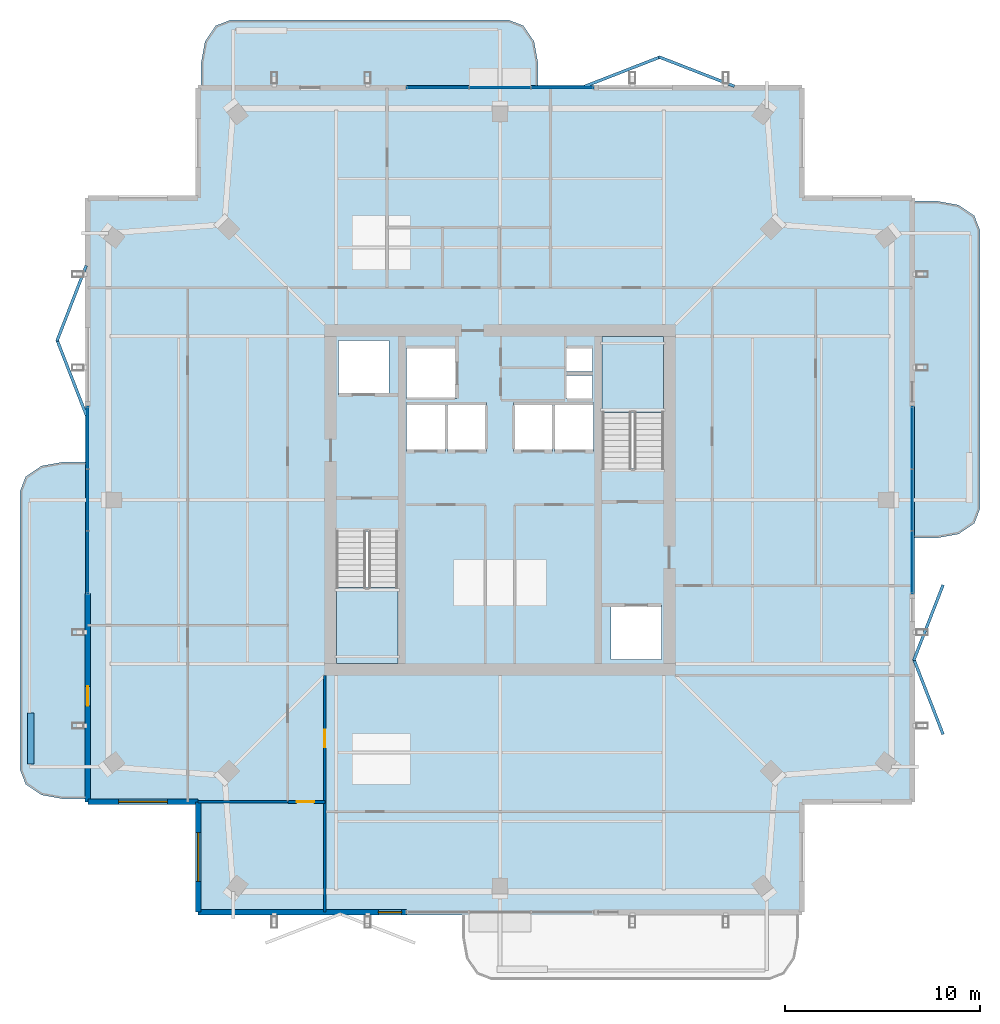
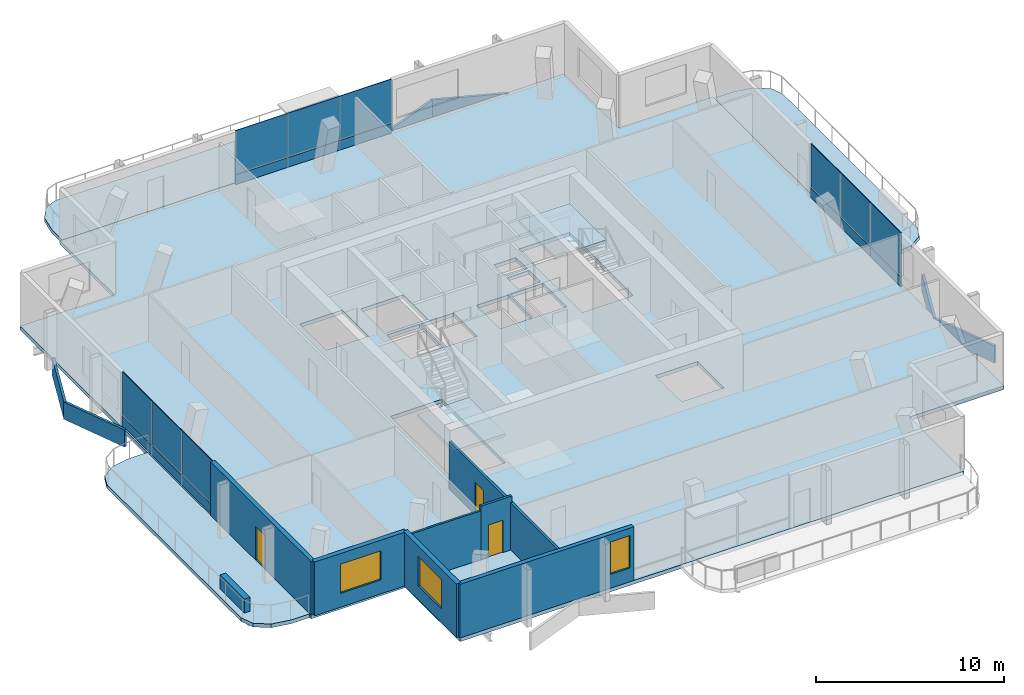
# One storey, part 14 of 20: 24 plates, 8 walls, 6 slabs, 3 doors, 3 windows, 6 openings, 5 elements without a shape of their own.
"""IFC4 building model written with IfcOpenShell, lengths in metres."""

import ifcopenshell
import ifcopenshell.guid

model = None  # the IFC model being written
_history = None  # IfcOwnerHistory: only IFC2X3 demands one
_inside = {}  # id of a spatial element -> (the spatial element, [elements in it])
_under = {}  # id of a project, library or spatial element -> (it, [spatial elements below it])
_declared = {}  # id of a project -> (the project, [libraries it declares])
_typed = {}  # id of a type object -> (the type object, [elements of that type])
_made_of = {}  # id of a material, layer set ... -> (it, [elements and type objects made of it])


def new_model(schema):
    """Start an empty IFC model of exactly this schema.

    Asked for "IFC4X3", IfcOpenShell would pick the latest addendum, in which some entities
    have other attributes; the version numbers below select the first issue.
    IFC2X3 requires an IfcOwnerHistory on every rooted entity: one is made here for all.
    """
    global model, _history
    if schema == "IFC4X3":
        model = ifcopenshell.file(schema_version=(4, 3, 0, 0))
    else:
        model = ifcopenshell.file(schema=schema)
    _inside.clear()
    _under.clear()
    _declared.clear()
    _typed.clear()
    _made_of.clear()
    _history = None
    if model.schema == "IFC2X3":
        org = make("IfcOrganization", Name="unknown")
        user = make(
            "IfcPersonAndOrganization",
            ThePerson=make("IfcPerson", FamilyName="unknown"),
            TheOrganization=org,
        )
        app = make(
            "IfcApplication",
            ApplicationDeveloper=org,
            Version="unknown",
            ApplicationFullName="unknown",
            ApplicationIdentifier="unknown",
        )
        _history = make(
            "IfcOwnerHistory",
            OwningUser=user,
            OwningApplication=app,
            ChangeAction="ADDED",
            CreationDate=0,
        )
    return model


def make(cls, **values):
    """One entity of the class cls with the attributes given. An attribute that is None is left unset."""
    return model.create_entity(
        cls, **{name: value for name, value in values.items() if value is not None}
    )


def rooted(cls, **values):
    """An entity with a GlobalId (a new one), such as an element, a storey or a relation."""
    return make(cls, GlobalId=ifcopenshell.guid.new(), OwnerHistory=_history, **values)


def si_unit(unit_type, name, prefix=None):
    """IfcSIUnit, for example si_unit("LENGTHUNIT", "METRE", prefix="MILLI")."""
    return make("IfcSIUnit", UnitType=unit_type, Prefix=prefix, Name=name)


def assignment(units):
    """IfcUnitAssignment: the units of a project."""
    return None if units is None else make("IfcUnitAssignment", Units=units)


def point(xyz):
    """IfcCartesianPoint."""
    return None if xyz is None else make("IfcCartesianPoint", Coordinates=xyz)


def direction(xyz):
    """IfcDirection."""
    return None if xyz is None else make("IfcDirection", DirectionRatios=xyz)


def frame(location, z_axis=None, x_axis=None):
    """IfcAxis2Placement3D, a coordinate frame: its origin and axes. An axis left out is left unset."""
    return make(
        "IfcAxis2Placement3D",
        Location=point(location),
        Axis=direction(z_axis),
        RefDirection=direction(x_axis),
    )


def frame_2d(location, x_axis=None):
    """IfcAxis2Placement2D, a coordinate frame in the plane: its origin and x axis."""
    return make(
        "IfcAxis2Placement2D", Location=point(location), RefDirection=direction(x_axis)
    )


def origin():
    """The frame at (0, 0, 0) with its axes left unset."""
    return frame((0.0, 0.0, 0.0))


def origin_2d():
    """The frame at (0, 0) in the plane with its x axis left unset."""
    return frame_2d((0.0, 0.0))


def place(relative_to, where):
    """IfcLocalPlacement: puts the frame where relative to a parent placement (None: the world)."""
    return make(
        "IfcLocalPlacement", PlacementRelTo=relative_to, RelativePlacement=where
    )


def context(
    kind, dimensions, precision=None, world=None, true_north=None, identifier=None
):
    """IfcGeometricRepresentationContext, for example the 3D "Model" context."""
    return make(
        "IfcGeometricRepresentationContext",
        ContextIdentifier=identifier,
        ContextType=kind,
        CoordinateSpaceDimension=dimensions,
        Precision=precision,
        WorldCoordinateSystem=world,
        TrueNorth=true_north,
    )


def subcontext(parent, identifier, kind, view, scale=None):
    """IfcGeometricRepresentationSubContext, for example "Body" below "Model"."""
    return make(
        "IfcGeometricRepresentationSubContext",
        ContextIdentifier=identifier,
        ContextType=kind,
        ParentContext=parent,
        TargetScale=scale,
        TargetView=view,
    )


def project(units=None, contexts=None):
    """IfcProject with its units and contexts."""
    return rooted(
        "IfcProject",
        Name="project",
        RepresentationContexts=contexts,
        UnitsInContext=assignment(units),
    )


def spatial(cls, under=None, at=None, **own):
    """A site, building, storey or space (cls), placed at a placement, below another one or the project."""
    s = rooted(cls, ObjectPlacement=at, **own)
    if under is not None:
        _under.setdefault(under.id(), (under, []))[1].append(s)
    return s


def polyline(points):
    """IfcPolyline through the points."""
    return make("IfcPolyline", Points=[point(p) for p in points])


def profile(cls, at=None, kind="AREA", **sizes):
    """A parametric profile (cls). Its sizes go by their IFC names, for example OverallWidth=200.0."""
    return make(cls, ProfileType=kind, Position=at, **sizes)


def rectangle(**sizes):
    """IfcRectangleProfileDef."""
    return profile("IfcRectangleProfileDef", **sizes)


def outline(outer, holes=None, kind="AREA"):
    """IfcArbitraryClosedProfileDef: a profile drawn as a closed curve; with holes, ...WithVoids."""
    if holes is None:
        return make("IfcArbitraryClosedProfileDef", ProfileType=kind, OuterCurve=outer)
    return make(
        "IfcArbitraryProfileDefWithVoids",
        ProfileType=kind,
        OuterCurve=outer,
        InnerCurves=holes,
    )


def extrude(swept, where, along, depth):
    """IfcExtrudedAreaSolid: the profile swept, set in the frame where, extruded along a direction by depth."""
    return make(
        "IfcExtrudedAreaSolid",
        SweptArea=swept,
        Position=where,
        ExtrudedDirection=direction(along),
        Depth=depth,
    )


def shape(context_of_items, identifier, shape_type, items):
    """IfcShapeRepresentation: the items that make up one representation, for example the "Body"."""
    return make(
        "IfcShapeRepresentation",
        ContextOfItems=context_of_items,
        RepresentationIdentifier=identifier,
        RepresentationType=shape_type,
        Items=items,
    )


def material(Name=None, Category=None):
    """IfcMaterial."""
    return make("IfcMaterial", Name=Name, Category=Category)


def layer(
    of_material, thickness, ventilated=None, Name=None, Category=None, Priority=None
):
    """IfcMaterialLayer: one layer of a wall or slab, of a material (None: an air gap)."""
    return make(
        "IfcMaterialLayer",
        Material=of_material,
        LayerThickness=thickness,
        IsVentilated=ventilated,
        Name=Name,
        Category=Category,
        Priority=Priority,
    )


def layer_set(layers, Name=None):
    """IfcMaterialLayerSet."""
    return make("IfcMaterialLayerSet", MaterialLayers=layers, LayerSetName=Name)


def made_of(thing, what):
    """Note that an element or type object is made of a material, layer set ...; save() writes the relation."""
    if what is not None:
        _made_of.setdefault(what.id(), (what, []))[1].append(thing)
    return thing


def type_object(cls, material=None, **own):
    """A type object (cls), such as IfcWallType, which elements share."""
    return made_of(rooted(cls, **own), material)


def element(
    cls,
    number,
    at=None,
    inside=None,
    cuts=None,
    type_object=None,
    material=None,
    context=None,
    identifier="Body",
    shape_type=None,
    held_by="IfcProductDefinitionShape",
    body=None,
    shapes=None,
    **own,
):
    """One element of the class cls, such as IfcWall. Its Tag is "e" and its number.

    at: its placement. inside: the storey or other place that contains it. cuts: it is an
    opening in that element (IfcRelVoidsElement). A single representation is given by context,
    identifier, shape_type and body (its items); several are given by shapes. held_by: the class
    of the entity that holds the representations. save() writes the other relations.
    """
    e = rooted(cls, Tag="e%d" % number, ObjectPlacement=at, **own)
    if body is not None:
        shapes = [shape(context, identifier, shape_type, body)]
    if shapes is not None:
        e.Representation = make(held_by, Representations=shapes)
    if inside is not None:
        _inside.setdefault(inside.id(), (inside, []))[1].append(e)
    if cuts is not None:
        rooted(
            "IfcRelVoidsElement", RelatingBuildingElement=cuts, RelatedOpeningElement=e
        )
    if type_object is not None:
        _typed.setdefault(type_object.id(), (type_object, []))[1].append(e)
    return made_of(e, material)


def fill(opening, filler):
    """IfcRelFillsElement: the door or window that sits in an opening."""
    return rooted(
        "IfcRelFillsElement",
        RelatingOpeningElement=opening,
        RelatedBuildingElement=filler,
    )


def aggregate(whole, parts):
    """IfcRelAggregates: a whole, such as a stair, and the parts it consists of."""
    return rooted("IfcRelAggregates", RelatingObject=whole, RelatedObjects=parts)


def save(model, path):
    """Write the relations noted so far, then the file.

    IfcRelAggregates (storeys below a building ...), IfcRelContainedInSpatialStructure (elements
    in a storey), IfcRelDefinesByType, IfcRelAssociatesMaterial and IfcRelDeclares: one each for
    every whole, place, type object, material and project.
    """
    for whole, parts in _under.values():
        aggregate(whole, parts)
    for where, things in _inside.values():
        rooted(
            "IfcRelContainedInSpatialStructure",
            RelatedElements=things,
            RelatingStructure=where,
        )
    for kind, things in _typed.values():
        rooted("IfcRelDefinesByType", RelatedObjects=things, RelatingType=kind)
    for what, things in _made_of.values():
        rooted("IfcRelAssociatesMaterial", RelatedObjects=things, RelatingMaterial=what)
    for by, libraries in _declared.values():
        rooted("IfcRelDeclares", RelatingContext=by, RelatedDefinitions=libraries)
    model.write(path)


model = new_model("IFC4")

# Units and contexts
model_context = context("Model", 3, precision=1e-05, world=origin(), true_north=direction((0.0, 1.0)))
body_context = subcontext(model_context, "Body", "Model", "MODEL_VIEW")
ifc_project = project(units=[si_unit("LENGTHUNIT", "METRE"), si_unit("AREAUNIT", "SQUARE_METRE"), si_unit("VOLUMEUNIT", "CUBIC_METRE"), si_unit("PLANEANGLEUNIT", "RADIAN"), si_unit("MASSUNIT", "GRAM", prefix="KILO")], contexts=[model_context])

# Site, building, storey
site_placement = place(None, origin())
site = spatial("IfcSite", under=ifc_project, at=site_placement, CompositionType="ELEMENT")
building_placement = place(site_placement, origin())
building = spatial("IfcBuilding", under=site, at=building_placement, Name="Belovzor Exchange Tower", CompositionType="ELEMENT")
storey_placement = place(building_placement, frame((0.0, 0.0, 351.75)))
storey = spatial("IfcBuildingStorey", under=building, at=storey_placement, Name="L88", CompositionType="ELEMENT", Elevation=351.75)

# Slab
ifc_material_1 = material(Name="Concrete C40/50", Category="concrete")
ifc_layer_1 = layer(ifc_material_1, 0.239990234375)
ifc_layer_set_1 = layer_set([ifc_layer_1], Name="Concrete C40/50")
slab_type_1 = type_object("IfcSlabType", Name="Composite High-Rise Floor Deck Slab 240", PredefinedType="FLOOR", material=ifc_layer_set_1)
slab_1_placement = place(storey_placement, frame((0.0, 0.0, -0.239990234375)))
element("IfcSlab", 1, at=slab_1_placement, inside=storey, type_object=slab_type_1, Name="SL-F240 Structural Slab L88", PredefinedType="FLOOR", context=body_context, shape_type="SweptSolid", body=[
    extrude(outline(polyline([(13.300048828125, 7.5), (44.300048828125, 7.5), (44.300048828125, 13.300048828125), (50.10009765625, 13.300048828125), (50.10009765625, 44.300048828125), (44.300048828125, 44.300048828125), (44.300048828125, 50.10009765625), (13.300048828125, 50.10009765625), (13.300048828125, 44.300048828125), (7.5, 44.300048828125), (7.5, 13.300048828125), (13.300048828125, 13.300048828125), (13.300048828125, 7.5)]), holes=[polyline([(20.39990234375, 27.175048828125), (20.39990234375, 20.39990234375), (23.550048828125, 20.39990234375), (23.550048828125, 27.175048828125), (20.39990234375, 27.175048828125)]), polyline([(37.199951171875, 30.425048828125), (37.199951171875, 37.199951171875), (34.050048828125, 37.199951171875), (34.050048828125, 30.425048828125), (37.199951171875, 30.425048828125)]), polyline([(20.5, 34.199951171875), (23.10009765625, 34.199951171875), (23.10009765625, 37.0), (20.5, 37.0), (20.5, 34.199951171875)]), polyline([(34.5, 20.60009765625), (37.10009765625, 20.60009765625), (37.10009765625, 23.39990234375), (34.5, 23.39990234375), (34.5, 20.60009765625)]), polyline([(24.0, 34.0), (26.60009765625, 34.0), (26.60009765625, 36.60009765625), (24.0, 36.60009765625), (24.0, 34.0)]), polyline([(24.0, 31.300048828125), (26.0, 31.300048828125), (26.0, 33.800048828125), (24.0, 33.800048828125), (24.0, 31.300048828125)]), polyline([(26.10009765625, 31.300048828125), (28.10009765625, 31.300048828125), (28.10009765625, 33.800048828125), (26.10009765625, 33.800048828125), (26.10009765625, 31.300048828125)]), polyline([(29.5, 31.300048828125), (31.5, 31.300048828125), (31.5, 33.800048828125), (29.5, 33.800048828125), (29.5, 31.300048828125)]), polyline([(31.60009765625, 31.300048828125), (33.60009765625, 31.300048828125), (33.60009765625, 33.800048828125), (31.60009765625, 33.800048828125), (31.60009765625, 31.300048828125)]), polyline([(32.199951171875, 34.0), (33.550048828125, 34.0), (33.550048828125, 35.199951171875), (32.199951171875, 35.199951171875), (32.199951171875, 34.0)]), polyline([(32.199951171875, 35.39990234375), (33.550048828125, 35.39990234375), (33.550048828125, 36.60009765625), (32.199951171875, 36.60009765625), (32.199951171875, 35.39990234375)])]), origin(), (0.0, 0.0, 1.0), 0.239990234375),
])

# Curtain wall, plates
ifc_material_2 = material(Name="Anodised Aluminium Framing", Category="aluminium")
ifc_layer_2 = layer(ifc_material_2, 0.179931640625)
ifc_layer_set_2 = layer_set([ifc_layer_2], Name="Anodised Aluminium Framing")
curtain_wall_type = type_object("IfcCurtainWallType", Name="Recessed Loggia Low-Iron Triple-Glazed Curtain Wall", PredefinedType="NOTDEFINED", material=ifc_layer_set_2)
curtain_wall_1_placement = place(storey_placement, origin())
curtain_wall_1 = element("IfcCurtainWall", 2, at=curtain_wall_1_placement, inside=storey, type_object=curtain_wall_type, Name="CW3 Recessed Loggia Low-Iron Triple-Glazed Curtain Wall L88", PredefinedType="NOTDEFINED")
ifc_material_3 = material(Name="Solar-Control Triple Glazing", Category="glass")
ifc_layer_3 = layer(ifc_material_3, 0.0439453125)
ifc_layer_set_3 = layer_set([ifc_layer_3], Name="Solar-Control Triple Glazing")
plate_type_1 = type_object("IfcPlateType", Name="Insulated Solar Glazing Curtain Panel 44", PredefinedType="CURTAIN_PANEL", material=ifc_layer_set_3)
plate_1_placement = place(storey_placement, frame((25.60009765625, 49.969970703125, 0.6298828125), z_axis=(0.0, 0.0, 1.0), x_axis=(1.0, 0.0, 0.0)))
plate_1 = element("IfcPlate", 3, at=plate_1_placement, type_object=plate_type_1, Name="GLZ-44 Glazed Curtain Panel 1", PredefinedType="CURTAIN_PANEL", context=body_context, shape_type="SweptSolid", body=[
    extrude(rectangle(XDim=3.18408203125, YDim=0.0439453125, at=origin_2d()), origin(), (0.0, 0.0, 1.0), 2.860107421875),
])
plate_2_placement = place(storey_placement, frame((28.800048828125, 49.969970703125, 0.6298828125), z_axis=(0.0, 0.0, 1.0), x_axis=(1.0, 0.0, 0.0)))
plate_2 = element("IfcPlate", 4, at=plate_2_placement, type_object=plate_type_1, Name="GLZ-44 Glazed Curtain Panel 2", PredefinedType="CURTAIN_PANEL", context=body_context, shape_type="SweptSolid", body=[
    extrude(rectangle(XDim=3.18408203125, YDim=0.0439453125, at=origin_2d()), origin(), (0.0, 0.0, 1.0), 2.860107421875),
])
plate_3_placement = place(storey_placement, frame((32.0, 49.969970703125, 0.6298828125), z_axis=(0.0, 0.0, 1.0), x_axis=(1.0, 0.0, 0.0)))
plate_3 = element("IfcPlate", 5, at=plate_3_placement, type_object=plate_type_1, Name="GLZ-44 Glazed Curtain Panel 3", PredefinedType="CURTAIN_PANEL", context=body_context, shape_type="SweptSolid", body=[
    extrude(rectangle(XDim=3.18408203125, YDim=0.0439453125, at=origin_2d()), origin(), (0.0, 0.0, 1.0), 2.860107421875),
])

curtain_wall_2_placement = place(storey_placement, origin())
curtain_wall_2 = element("IfcCurtainWall", 6, at=curtain_wall_2_placement, inside=storey, type_object=curtain_wall_type, Name="CW3 Recessed Loggia Low-Iron Triple-Glazed Curtain Wall L88", PredefinedType="NOTDEFINED")
plate_4_placement = place(storey_placement, frame((7.6298828125, 25.60009765625, 0.6298828125), z_axis=(0.0, 0.0, 1.0), x_axis=(0.0, 1.0, 0.0)))
plate_4 = element("IfcPlate", 7, at=plate_4_placement, type_object=plate_type_1, Name="GLZ-44 Glazed Curtain Panel 1", PredefinedType="CURTAIN_PANEL", context=body_context, shape_type="SweptSolid", body=[
    extrude(rectangle(XDim=3.18408203125, YDim=0.0439453125, at=origin_2d()), origin(), (0.0, 0.0, 1.0), 2.860107421875),
])
plate_5_placement = place(storey_placement, frame((7.6298828125, 28.800048828125, 0.6298828125), z_axis=(0.0, 0.0, 1.0), x_axis=(0.0, 1.0, 0.0)))
plate_5 = element("IfcPlate", 8, at=plate_5_placement, type_object=plate_type_1, Name="GLZ-44 Glazed Curtain Panel 2", PredefinedType="CURTAIN_PANEL", context=body_context, shape_type="SweptSolid", body=[
    extrude(rectangle(XDim=3.18408203125, YDim=0.0439453125, at=origin_2d()), origin(), (0.0, 0.0, 1.0), 2.860107421875),
])
plate_6_placement = place(storey_placement, frame((7.6298828125, 32.0, 0.6298828125), z_axis=(0.0, 0.0, 1.0), x_axis=(0.0, 1.0, 0.0)))
plate_6 = element("IfcPlate", 9, at=plate_6_placement, type_object=plate_type_1, Name="GLZ-44 Glazed Curtain Panel 3", PredefinedType="CURTAIN_PANEL", context=body_context, shape_type="SweptSolid", body=[
    extrude(rectangle(XDim=3.18408203125, YDim=0.0439453125, at=origin_2d()), origin(), (0.0, 0.0, 1.0), 2.860107421875),
])

curtain_wall_3_placement = place(storey_placement, origin())
curtain_wall_3 = element("IfcCurtainWall", 10, at=curtain_wall_3_placement, inside=storey, type_object=curtain_wall_type, Name="CW3 Recessed Loggia Low-Iron Triple-Glazed Curtain Wall L88", PredefinedType="NOTDEFINED")
plate_7_placement = place(storey_placement, frame((49.969970703125, 32.0, 0.6298828125), z_axis=(0.0, 0.0, 1.0), x_axis=(0.0, -1.0, 0.0)))
plate_7 = element("IfcPlate", 11, at=plate_7_placement, type_object=plate_type_1, Name="GLZ-44 Glazed Curtain Panel 1", PredefinedType="CURTAIN_PANEL", context=body_context, shape_type="SweptSolid", body=[
    extrude(rectangle(XDim=3.18408203125, YDim=0.0439453125, at=origin_2d()), origin(), (0.0, 0.0, 1.0), 2.860107421875),
])
plate_8_placement = place(storey_placement, frame((49.969970703125, 28.800048828125, 0.6298828125), z_axis=(0.0, 0.0, 1.0), x_axis=(0.0, -1.0, 0.0)))
plate_8 = element("IfcPlate", 12, at=plate_8_placement, type_object=plate_type_1, Name="GLZ-44 Glazed Curtain Panel 2", PredefinedType="CURTAIN_PANEL", context=body_context, shape_type="SweptSolid", body=[
    extrude(rectangle(XDim=3.18408203125, YDim=0.0439453125, at=origin_2d()), origin(), (0.0, 0.0, 1.0), 2.860107421875),
])
plate_9_placement = place(storey_placement, frame((49.969970703125, 25.60009765625, 0.6298828125), z_axis=(0.0, 0.0, 1.0), x_axis=(0.0, -1.0, 0.0)))
plate_9 = element("IfcPlate", 13, at=plate_9_placement, type_object=plate_type_1, Name="GLZ-44 Glazed Curtain Panel 3", PredefinedType="CURTAIN_PANEL", context=body_context, shape_type="SweptSolid", body=[
    extrude(rectangle(XDim=3.18408203125, YDim=0.0439453125, at=origin_2d()), origin(), (0.0, 0.0, 1.0), 2.860107421875),
])

# Stair, slab
ifc_material_4 = material(Name="Concrete C40/50", Category="concrete")
stair_type = type_object("IfcStairType", Name="Reinforced Concrete Dogleg Escape Stair 1350", PredefinedType="HALF_TURN_STAIR", material=ifc_material_4)
stair_1_placement = place(storey_placement, origin())
stair_1 = element("IfcStair", 14, at=stair_1_placement, inside=storey, type_object=stair_type, Name="L88 ST-1", PredefinedType="HALF_TURN_STAIR")
ifc_material_5 = material(Name="Concrete C40/50", Category="concrete")
ifc_layer_4 = layer(ifc_material_5, 0.199951171875)
ifc_layer_set_4 = layer_set([ifc_layer_4], Name="Concrete C40/50")
slab_type_2 = type_object("IfcSlabType", Name="Reinforced Concrete Stair Half-Landing Slab 200", PredefinedType="LANDING", material=ifc_layer_set_4)
slab_2_placement = place(storey_placement, frame((0.0, 0.0, 1.675048828125)))
slab_2 = element("IfcSlab", 15, at=slab_2_placement, type_object=slab_type_2, Name="ST-1 landing 1", PredefinedType="LANDING", context=body_context, shape_type="SweptSolid", body=[
    extrude(outline(polyline([(20.39990234375, 24.300048828125), (20.39990234375, 20.39990234375), (23.550048828125, 20.39990234375), (23.550048828125, 24.300048828125), (20.39990234375, 24.300048828125)])), origin(), (0.0, 0.0, 1.0), 0.199951171875),
])
aggregate(stair_1, [slab_2])

stair_2_placement = place(storey_placement, origin())
stair_2 = element("IfcStair", 16, at=stair_2_placement, inside=storey, type_object=stair_type, Name="L88 ST-2", PredefinedType="HALF_TURN_STAIR")
slab_3_placement = place(storey_placement, frame((0.0, 0.0, 1.675048828125)))
slab_3 = element("IfcSlab", 17, at=slab_3_placement, type_object=slab_type_2, Name="ST-2 landing 1", PredefinedType="LANDING", context=body_context, shape_type="SweptSolid", body=[
    extrude(outline(polyline([(37.199951171875, 33.300048828125), (37.199951171875, 37.199951171875), (34.050048828125, 37.199951171875), (34.050048828125, 33.300048828125), (37.199951171875, 33.300048828125)])), origin(), (0.0, 0.0, 1.0), 0.199951171875),
])
aggregate(stair_2, [slab_3])

# Plate
ifc_material_6 = material(Name="Extruded Architectural Terracotta", Category="masonry")
ifc_layer_5 = layer(ifc_material_6, 0.090087890625)
ifc_layer_set_5 = layer_set([ifc_layer_5], Name="Extruded Architectural Terracotta")
plate_type_2 = type_object("IfcPlateType", Name="Terracotta Shadow-Box Spandrel Panel 90", PredefinedType="CURTAIN_PANEL", material=ifc_layer_set_5)
plate_10_placement = place(storey_placement, frame((25.60009765625, 49.969970703125, 0.0), z_axis=(0.0, 0.0, 1.0), x_axis=(1.0, 0.0, 0.0)))
plate_10 = element("IfcPlate", 18, at=plate_10_placement, type_object=plate_type_2, Name="SPD-90 Spandrel Panel 1", PredefinedType="CURTAIN_PANEL", context=body_context, shape_type="SweptSolid", body=[
    extrude(rectangle(XDim=3.18408203125, YDim=0.090087890625, at=origin_2d()), origin(), (0.0, 0.0, 1.0), 0.6259765625),
])

plate_11_placement = place(storey_placement, frame((28.800048828125, 49.969970703125, 0.0), z_axis=(0.0, 0.0, 1.0), x_axis=(1.0, 0.0, 0.0)))
plate_11 = element("IfcPlate", 19, at=plate_11_placement, type_object=plate_type_2, Name="SPD-90 Spandrel Panel 2", PredefinedType="CURTAIN_PANEL", context=body_context, shape_type="SweptSolid", body=[
    extrude(rectangle(XDim=3.18408203125, YDim=0.090087890625, at=origin_2d()), origin(), (0.0, 0.0, 1.0), 0.6259765625),
])

plate_12_placement = place(storey_placement, frame((32.0, 49.969970703125, 0.0), z_axis=(0.0, 0.0, 1.0), x_axis=(1.0, 0.0, 0.0)))
plate_12 = element("IfcPlate", 20, at=plate_12_placement, type_object=plate_type_2, Name="SPD-90 Spandrel Panel 3", PredefinedType="CURTAIN_PANEL", context=body_context, shape_type="SweptSolid", body=[
    extrude(rectangle(XDim=3.18408203125, YDim=0.090087890625, at=origin_2d()), origin(), (0.0, 0.0, 1.0), 0.6259765625),
])

aggregate(curtain_wall_1, [plate_10, plate_1, plate_11, plate_2, plate_12, plate_3])

plate_13_placement = place(storey_placement, frame((7.6298828125, 25.60009765625, 0.0), z_axis=(0.0, 0.0, 1.0), x_axis=(0.0, 1.0, 0.0)))
plate_13 = element("IfcPlate", 21, at=plate_13_placement, type_object=plate_type_2, Name="SPD-90 Spandrel Panel 1", PredefinedType="CURTAIN_PANEL", context=body_context, shape_type="SweptSolid", body=[
    extrude(rectangle(XDim=3.18408203125, YDim=0.090087890625, at=origin_2d()), origin(), (0.0, 0.0, 1.0), 0.6259765625),
])

plate_14_placement = place(storey_placement, frame((7.6298828125, 28.800048828125, 0.0), z_axis=(0.0, 0.0, 1.0), x_axis=(0.0, 1.0, 0.0)))
plate_14 = element("IfcPlate", 22, at=plate_14_placement, type_object=plate_type_2, Name="SPD-90 Spandrel Panel 2", PredefinedType="CURTAIN_PANEL", context=body_context, shape_type="SweptSolid", body=[
    extrude(rectangle(XDim=3.18408203125, YDim=0.090087890625, at=origin_2d()), origin(), (0.0, 0.0, 1.0), 0.6259765625),
])

plate_15_placement = place(storey_placement, frame((7.6298828125, 32.0, 0.0), z_axis=(0.0, 0.0, 1.0), x_axis=(0.0, 1.0, 0.0)))
plate_15 = element("IfcPlate", 23, at=plate_15_placement, type_object=plate_type_2, Name="SPD-90 Spandrel Panel 3", PredefinedType="CURTAIN_PANEL", context=body_context, shape_type="SweptSolid", body=[
    extrude(rectangle(XDim=3.18408203125, YDim=0.090087890625, at=origin_2d()), origin(), (0.0, 0.0, 1.0), 0.6259765625),
])

aggregate(curtain_wall_2, [plate_13, plate_4, plate_14, plate_5, plate_15, plate_6])

plate_16_placement = place(storey_placement, frame((49.969970703125, 32.0, 0.0), z_axis=(0.0, 0.0, 1.0), x_axis=(0.0, -1.0, 0.0)))
plate_16 = element("IfcPlate", 24, at=plate_16_placement, type_object=plate_type_2, Name="SPD-90 Spandrel Panel 1", PredefinedType="CURTAIN_PANEL", context=body_context, shape_type="SweptSolid", body=[
    extrude(rectangle(XDim=3.18408203125, YDim=0.090087890625, at=origin_2d()), origin(), (0.0, 0.0, 1.0), 0.6259765625),
])

plate_17_placement = place(storey_placement, frame((49.969970703125, 28.800048828125, 0.0), z_axis=(0.0, 0.0, 1.0), x_axis=(0.0, -1.0, 0.0)))
plate_17 = element("IfcPlate", 25, at=plate_17_placement, type_object=plate_type_2, Name="SPD-90 Spandrel Panel 2", PredefinedType="CURTAIN_PANEL", context=body_context, shape_type="SweptSolid", body=[
    extrude(rectangle(XDim=3.18408203125, YDim=0.090087890625, at=origin_2d()), origin(), (0.0, 0.0, 1.0), 0.6259765625),
])

plate_18_placement = place(storey_placement, frame((49.969970703125, 25.60009765625, 0.0), z_axis=(0.0, 0.0, 1.0), x_axis=(0.0, -1.0, 0.0)))
plate_18 = element("IfcPlate", 26, at=plate_18_placement, type_object=plate_type_2, Name="SPD-90 Spandrel Panel 3", PredefinedType="CURTAIN_PANEL", context=body_context, shape_type="SweptSolid", body=[
    extrude(rectangle(XDim=3.18408203125, YDim=0.090087890625, at=origin_2d()), origin(), (0.0, 0.0, 1.0), 0.6259765625),
])

aggregate(curtain_wall_3, [plate_16, plate_7, plate_17, plate_8, plate_18, plate_9])

# Slabs
ifc_material_7 = material(Name="Concrete C40/50", Category="concrete")
ifc_layer_6 = layer(ifc_material_7, 0.239990234375)
ifc_layer_set_6 = layer_set([ifc_layer_6], Name="Concrete C40/50")
slab_type_3 = type_object("IfcSlabType", Name="Thermally Broken Upper Balcony Slab 240", PredefinedType="FLOOR", material=ifc_layer_set_6)
slab_4_placement = place(storey_placement, frame((0.0, 0.0, -0.239990234375)))
element("IfcSlab", 27, at=slab_4_placement, inside=storey, type_object=slab_type_3, Name="SL-BAL220 Planted Balcony Loggia L88 North", PredefinedType="FLOOR", context=body_context, shape_type="SweptSolid", body=[
    extrude(outline(polyline([(30.75, 50.0849609375), (30.75, 51.25), (30.549072265625, 52.35009765625), (30.0, 53.155029296875), (29.25, 53.449951171875), (14.949951171875, 53.449951171875), (14.199951171875, 53.155029296875), (13.65087890625, 52.35009765625), (13.449951171875, 51.25), (13.449951171875, 50.0849609375), (30.75, 50.0849609375)])), origin(), (0.0, 0.0, 1.0), 0.239990234375),
])
slab_5_placement = place(storey_placement, frame((0.0, 0.0, -0.239990234375)))
element("IfcSlab", 28, at=slab_5_placement, inside=storey, type_object=slab_type_3, Name="SL-BAL220 Planted Balcony Loggia L88 East", PredefinedType="FLOOR", context=body_context, shape_type="SweptSolid", body=[
    extrude(outline(polyline([(50.0849609375, 26.85009765625), (51.25, 26.85009765625), (52.35009765625, 27.051025390625), (53.155029296875, 27.60009765625), (53.449951171875, 28.35009765625), (53.449951171875, 42.64990234375), (53.155029296875, 43.39990234375), (52.35009765625, 43.948974609375), (51.25, 44.14990234375), (50.0849609375, 44.14990234375), (50.0849609375, 26.85009765625)])), origin(), (0.0, 0.0, 1.0), 0.239990234375),
])
slab_6_placement = place(storey_placement, frame((0.0, 0.0, -0.239990234375)))
element("IfcSlab", 29, at=slab_6_placement, inside=storey, type_object=slab_type_3, Name="SL-BAL220 Planted Balcony Loggia L88 West", PredefinedType="FLOOR", context=body_context, shape_type="SweptSolid", body=[
    extrude(outline(polyline([(7.514892578125, 30.75), (6.35009765625, 30.75), (5.25, 30.549072265625), (4.445068359375, 30.0), (4.14990234375, 29.25), (4.14990234375, 14.949951171875), (4.445068359375, 14.199951171875), (5.25, 13.65087890625), (6.35009765625, 13.449951171875), (7.514892578125, 13.449951171875), (7.514892578125, 30.75)])), origin(), (0.0, 0.0, 1.0), 0.239990234375),
])

# Plates
ifc_material_8 = material(Name="Extruded Architectural Terracotta", Category="masonry")
ifc_layer_7 = layer(ifc_material_8, 0.14990234375)
ifc_layer_set_7 = layer_set([ifc_layer_7], Name="Extruded Architectural Terracotta")
plate_type_3 = type_object("IfcPlateType", Name="Upper-Crown Deep Folded Zigzag Terracotta Spandrel Louvre 150", PredefinedType="USERDEFINED", material=ifc_layer_set_7)
for number, where, z_axis, x_axis, name in (
    (30, (50.800048828125, 18.699951171875, -1.10498046875), (0.0, 0.0, 1.0), (-0.362925986758, 0.931817969421, 0.0), "LVR-ZZ3 Zigzag Terracotta Spandrel Louvre L88 E1A"),
    (31, (50.800048828125, 22.5, -1.10498046875), (0.0, 0.0, 1.0), (0.362925986758, 0.931817969421, 0.0), "LVR-ZZ3 Zigzag Terracotta Spandrel Louvre L88 E1B"),
    (32, (35.10009765625, 50.800048828125, -1.10498046875), (0.0, 0.0, 1.0), (0.931817969421, 0.362925986758, 0.0), "LVR-ZZ3 Zigzag Terracotta Spandrel Louvre L88 N2A"),
    (33, (38.89990234375, 50.800048828125, -1.10498046875), (0.0, 0.0, 1.0), (0.931817969421, -0.362925986758, 0.0), "LVR-ZZ3 Zigzag Terracotta Spandrel Louvre L88 N2B"),
    (34, (6.800048828125, 35.10009765625, -1.10498046875), (0.0, 0.0, 1.0), (-0.362925986758, 0.931817969421, 0.0), "LVR-ZZ3 Zigzag Terracotta Spandrel Louvre L88 W2A"),
    (35, (6.800048828125, 38.89990234375, -1.10498046875), (0.0, 0.0, 1.0), (0.362925986758, 0.931817969421, 0.0), "LVR-ZZ3 Zigzag Terracotta Spandrel Louvre L88 W2B"),
):
    element("IfcPlate", number, at=place(storey_placement, frame(where, z_axis=z_axis, x_axis=x_axis)), inside=storey, type_object=plate_type_3, Name=name, ObjectType="SPANDREL_LOUVRE", PredefinedType="USERDEFINED", context=body_context, shape_type="SweptSolid", body=[
        extrude(rectangle(XDim=4.157958984375, YDim=0.14990234375, at=origin_2d()), origin(), (0.0, 0.0, 1.0), 1.1201171875),
    ])

# Wall
ifc_material_9 = material(Name="Acoustic Plasterboard on Galvanised Studs", Category="gypsum")
ifc_layer_8 = layer(ifc_material_9, 0.1201171875)
ifc_layer_set_8 = layer_set([ifc_layer_8], Name="Acoustic Plasterboard on Galvanised Studs")
wall_type_1 = type_object("IfcWallType", Name="Acoustic Double-Stud Partition Wall 120", PredefinedType="PARTITIONING", material=ifc_layer_set_8)
wall_1_placement = place(storey_placement, frame((13.300048828125, 13.300048828125, 0.0), z_axis=(0.0, 0.0, 1.0), x_axis=(1.0, 0.0, 0.0)))
element("IfcWall", 36, at=wall_1_placement, inside=storey, type_object=wall_type_1, Name="W-P120 Partition Wall W-L88-SWS", PredefinedType="PARTITIONING", context=body_context, shape_type="SweptSolid", body=[
    extrude(rectangle(XDim=4.599853515625, YDim=0.1201171875, at=frame_2d((2.2998046875, 0.0))), origin(), (0.0, 0.0, 1.0), 3.175048828125),
])

# Wall, opening, door
ifc_material_10 = material(Name="Fire-Rated Gypsum Block and Mineral Wool", Category="gypsum")
ifc_layer_9 = layer(ifc_material_10, 0.14990234375)
ifc_layer_set_9 = layer_set([ifc_layer_9], Name="Fire-Rated Gypsum Block and Mineral Wool")
wall_type_2 = type_object("IfcWallType", Name="Fire-Rated Gypsum Block Corridor Wall 150", PredefinedType="PARTITIONING", material=ifc_layer_set_9)
wall_2_placement = place(storey_placement, frame((17.89990234375, 13.300048828125, 0.0), z_axis=(0.0, 0.0, 1.0), x_axis=(1.0, 0.0, 0.0)))
wall_2 = element("IfcWall", 37, at=wall_2_placement, inside=storey, type_object=wall_type_2, Name="W-P150 Partition Wall W-L88-CW-END", PredefinedType="PARTITIONING", context=body_context, shape_type="SweptSolid", body=[
    extrude(rectangle(XDim=1.900146484375, YDim=0.14990234375, at=frame_2d((0.9501953125, 0.0))), origin(), (0.0, 0.0, 1.0), 3.489990234375),
])
opening_1_placement = place(wall_2_placement, frame((0.449951171875, 0.0, 0.0)))
opening_1 = element("IfcOpeningElement", 38, at=opening_1_placement, cuts=wall_2, Name="Opening D-FD60-090", PredefinedType="OPENING", context=body_context, shape_type="SweptSolid", body=[
    extrude(rectangle(XDim=0.89990234375, YDim=2.10009765625, at=frame_2d((0.449951171875, 1.050048828125))), frame((0.0, 0.0849609375, 0.0), z_axis=(0.0, -1.0, 0.0), x_axis=(1.0, 0.0, 0.0)), (0.0, 0.0, 1.0), 0.169921875),
])
ifc_material_11 = material(Name="Acoustic Timber Fire Leaf", Category="wood")
door_type_1 = type_object("IfcDoorType", Name="Core Service & Restroom Fire Door 900x2100", OperationType="NOTDEFINED", PredefinedType="DOOR", material=ifc_material_11)
door_1_placement = place(opening_1_placement, origin())
door_1 = element("IfcDoor", 39, at=door_1_placement, inside=storey, type_object=door_type_1, Name="D-FD60-090 Core Service & Restroom Fire Door 900x2100", OperationType="SINGLE_SWING_LEFT", OverallHeight=2.10009765625, OverallWidth=0.89990234375, PredefinedType="DOOR", context=body_context, shape_type="SweptSolid", body=[
    extrude(rectangle(XDim=0.89990234375, YDim=2.10009765625, at=frame_2d((0.449951171875, 1.050048828125))), frame((0.0, 0.02490234375, 0.0), z_axis=(0.0, -1.0, 0.0), x_axis=(1.0, 0.0, 0.0)), (0.0, 0.0, 1.0), 0.050048828125),
])
fill(opening_1, door_1)

wall_3_placement = place(storey_placement, frame((19.800048828125, 7.6298828125, 0.0), z_axis=(0.0, 0.0, 1.0), x_axis=(0.0, 1.0, 0.0)))
wall_3 = element("IfcWall", 40, at=wall_3_placement, inside=storey, type_object=wall_type_2, Name="W-P150 Partition Wall W-L88-CW-E", PredefinedType="PARTITIONING", context=body_context, shape_type="SweptSolid", body=[
    extrude(rectangle(XDim=12.170166015625, YDim=0.14990234375, at=frame_2d((6.0849609375, 0.0))), origin(), (0.0, 0.0, 1.0), 3.074951171875),
])
opening_2_placement = place(wall_3_placement, frame((8.469970703125, 0.0, 0.0)))
opening_2 = element("IfcOpeningElement", 41, at=opening_2_placement, cuts=wall_3, Name="Opening D-FD60-090", PredefinedType="OPENING", context=body_context, shape_type="SweptSolid", body=[
    extrude(rectangle(XDim=0.89990234375, YDim=2.10009765625, at=frame_2d((0.449951171875, 1.050048828125))), frame((0.0, 0.0849609375, 0.0), z_axis=(0.0, -1.0, 0.0), x_axis=(1.0, 0.0, 0.0)), (0.0, 0.0, 1.0), 0.169921875),
])
door_2_placement = place(opening_2_placement, origin())
door_2 = element("IfcDoor", 42, at=door_2_placement, inside=storey, type_object=door_type_1, Name="D-FD60-090 Core Service & Restroom Fire Door 900x2100", OperationType="SINGLE_SWING_RIGHT", OverallHeight=2.10009765625, OverallWidth=0.89990234375, PredefinedType="DOOR", context=body_context, shape_type="SweptSolid", body=[
    extrude(rectangle(XDim=0.89990234375, YDim=2.10009765625, at=frame_2d((0.449951171875, 1.050048828125))), frame((0.0, 0.02490234375, 0.0), z_axis=(0.0, -1.0, 0.0), x_axis=(1.0, 0.0, 0.0)), (0.0, 0.0, 1.0), 0.050048828125),
])
fill(opening_2, door_2)

# Wall, opening, window
ifc_material_12 = material(Name="Precast concrete C40/50", Category="concrete")
ifc_layer_10 = layer(ifc_material_12, 0.280029296875)
ifc_layer_set_10 = layer_set([ifc_layer_10], Name="Precast concrete C40/50")
wall_type_3 = type_object("IfcWallType", Name="Precast Concrete Notched Corner Frame Wall 280", PredefinedType="SOLIDWALL", material=ifc_layer_set_10)
wall_4_placement = place(storey_placement, frame((13.300048828125, 7.6298828125, 0.0), z_axis=(0.0, 0.0, 1.0), x_axis=(0.0, 1.0, 0.0)))
wall_4 = element("IfcWall", 43, at=wall_4_placement, inside=storey, type_object=wall_type_3, Name="W-CRN280 Precast Concrete Notched Corner Frame Wall 280 L88", PredefinedType="SOLIDWALL", context=body_context, shape_type="SweptSolid", body=[
    extrude(rectangle(XDim=5.670166015625, YDim=0.280029296875, at=frame_2d((2.8349609375, 0.0))), origin(), (0.0, 0.0, 1.0), 3.489990234375),
])
opening_3_placement = place(wall_4_placement, frame((1.5849609375, 0.0, 0.89990234375)))
opening_3 = element("IfcOpeningElement", 44, at=opening_3_placement, cuts=wall_4, Name="Opening WN-CRN250", PredefinedType="OPENING", context=body_context, shape_type="SweptSolid", body=[
    extrude(rectangle(XDim=2.5, YDim=1.89990234375, at=frame_2d((1.25, 0.949951171875))), frame((0.0, 0.14990234375, 0.0), z_axis=(0.0, -1.0, 0.0), x_axis=(1.0, 0.0, 0.0)), (0.0, 0.0, 1.0), 0.300048828125),
])
ifc_material_13 = material(Name="Thermally Broken Aluminium and Triple Glazing", Category="aluminium")
window_type_1 = type_object("IfcWindowType", Name="Streamline Moderne Corner Wrap Ribbon Window 2500x1900", PartitioningType="SINGLE_PANEL", PredefinedType="WINDOW", material=ifc_material_13)
window_1_placement = place(opening_3_placement, origin())
window_1 = element("IfcWindow", 45, at=window_1_placement, inside=storey, type_object=window_type_1, Name="WN-CRN250 Streamline Moderne Corner Wrap Ribbon Window 2500x1900", OverallHeight=1.89990234375, OverallWidth=2.5, PartitioningType="SINGLE_PANEL", PredefinedType="WINDOW", context=body_context, shape_type="SweptSolid", body=[
    extrude(rectangle(XDim=2.5, YDim=1.89990234375, at=frame_2d((1.25, 0.949951171875))), frame((0.0, 0.030029296875, 0.0), z_axis=(0.0, -1.0, 0.0), x_axis=(1.0, 0.0, 0.0)), (0.0, 0.0, 1.0), 0.06005859375),
])
fill(opening_3, window_1)

wall_5_placement = place(storey_placement, frame((13.300048828125, 13.300048828125, 0.0), z_axis=(0.0, 0.0, 1.0), x_axis=(-1.0, 0.0, 0.0)))
wall_5 = element("IfcWall", 46, at=wall_5_placement, inside=storey, type_object=wall_type_3, Name="W-CRN280 Precast Concrete Notched Corner Frame Wall 280 L88", PredefinedType="SOLIDWALL", context=body_context, shape_type="SweptSolid", body=[
    extrude(rectangle(XDim=5.670166015625, YDim=0.280029296875, at=frame_2d((2.8349609375, 0.0))), origin(), (0.0, 0.0, 1.0), 3.489990234375),
])
opening_4_placement = place(wall_5_placement, frame((1.5849609375, 0.0, 0.89990234375)))
opening_4 = element("IfcOpeningElement", 47, at=opening_4_placement, cuts=wall_5, Name="Opening WN-CRN250", PredefinedType="OPENING", context=body_context, shape_type="SweptSolid", body=[
    extrude(rectangle(XDim=2.5, YDim=1.89990234375, at=frame_2d((1.25, 0.949951171875))), frame((0.0, 0.14990234375, 0.0), z_axis=(0.0, -1.0, 0.0), x_axis=(1.0, 0.0, 0.0)), (0.0, 0.0, 1.0), 0.300048828125),
])
window_2_placement = place(opening_4_placement, origin())
window_2 = element("IfcWindow", 48, at=window_2_placement, inside=storey, type_object=window_type_1, Name="WN-CRN250 Streamline Moderne Corner Wrap Ribbon Window 2500x1900", OverallHeight=1.89990234375, OverallWidth=2.5, PartitioningType="SINGLE_PANEL", PredefinedType="WINDOW", context=body_context, shape_type="SweptSolid", body=[
    extrude(rectangle(XDim=2.5, YDim=1.89990234375, at=frame_2d((1.25, 0.949951171875))), frame((0.0, 0.030029296875, 0.0), z_axis=(0.0, -1.0, 0.0), x_axis=(1.0, 0.0, 0.0)), (0.0, 0.0, 1.0), 0.06005859375),
])
fill(opening_4, window_2)

ifc_material_14 = material(Name="Precast concrete C40/50", Category="concrete")
ifc_layer_11 = layer(ifc_material_14, 0.260009765625)
ifc_layer_set_11 = layer_set([ifc_layer_11], Name="Precast concrete C40/50")
wall_type_4 = type_object("IfcWallType", Name="Precast Concrete Perimeter Loggia Frame Wall 260", PredefinedType="SOLIDWALL", material=ifc_layer_set_11)
wall_6_placement = place(storey_placement, frame((24.0, 7.6298828125, 0.0), z_axis=(0.0, 0.0, 1.0), x_axis=(-1.0, 0.0, 0.0)))
wall_6 = element("IfcWall", 49, at=wall_6_placement, inside=storey, type_object=wall_type_4, Name="W-EXT260 Precast Concrete Perimeter Loggia Frame Wall 260 L88", PredefinedType="SOLIDWALL", context=body_context, shape_type="SweptSolid", body=[
    extrude(rectangle(XDim=10.699951171875, YDim=0.260009765625, at=frame_2d((5.35009765625, 0.0))), origin(), (0.0, 0.0, 1.0), 3.489990234375),
])
opening_5_placement = place(wall_6_placement, frame((0.25, 0.0, 0.89990234375)))
opening_5 = element("IfcOpeningElement", 50, at=opening_5_placement, cuts=wall_6, Name="Opening WN-CRN120", PredefinedType="OPENING", context=body_context, shape_type="SweptSolid", body=[
    extrude(rectangle(XDim=1.199951171875, YDim=2.10009765625, at=frame_2d((0.60009765625, 1.050048828125))), frame((0.0, 0.139892578125, 0.0), z_axis=(0.0, -1.0, 0.0), x_axis=(1.0, 0.0, 0.0)), (0.0, 0.0, 1.0), 0.280029296875),
])
ifc_material_15 = material(Name="Thermally Broken Aluminium and Triple Glazing", Category="aluminium")
window_type_2 = type_object("IfcWindowType", Name="Streamline Notched Corner Window 1200x2100", PartitioningType="SINGLE_PANEL", PredefinedType="WINDOW", material=ifc_material_15)
window_3_placement = place(opening_5_placement, origin())
window_3 = element("IfcWindow", 51, at=window_3_placement, inside=storey, type_object=window_type_2, Name="WN-CRN120 Streamline Notched Corner Window 1200x2100", OverallHeight=2.10009765625, OverallWidth=1.199951171875, PartitioningType="SINGLE_PANEL", PredefinedType="WINDOW", context=body_context, shape_type="SweptSolid", body=[
    extrude(rectangle(XDim=1.199951171875, YDim=2.10009765625, at=frame_2d((0.60009765625, 1.050048828125))), frame((0.0, 0.030029296875, 0.0), z_axis=(0.0, -1.0, 0.0), x_axis=(1.0, 0.0, 0.0)), (0.0, 0.0, 1.0), 0.06005859375),
])
fill(opening_5, window_3)

# Wall, opening, door
wall_7_placement = place(storey_placement, frame((7.6298828125, 13.300048828125, 0.0), z_axis=(0.0, 0.0, 1.0), x_axis=(0.0, 1.0, 0.0)))
wall_7 = element("IfcWall", 52, at=wall_7_placement, inside=storey, type_object=wall_type_4, Name="W-EXT260 Precast Concrete Perimeter Loggia Frame Wall 260 L88", PredefinedType="SOLIDWALL", context=body_context, shape_type="SweptSolid", body=[
    extrude(rectangle(XDim=10.699951171875, YDim=0.260009765625, at=frame_2d((5.35009765625, 0.0))), origin(), (0.0, 0.0, 1.0), 3.489990234375),
])
opening_6_placement = place(wall_7_placement, frame((4.927001953125, 0.0, 0.0)))
opening_6 = element("IfcOpeningElement", 53, at=opening_6_placement, cuts=wall_7, Name="Opening D-BAL100", PredefinedType="OPENING", context=body_context, shape_type="SweptSolid", body=[
    extrude(rectangle(XDim=1.0, YDim=2.199951171875, at=frame_2d((0.5, 1.10009765625))), frame((0.0, 0.139892578125, 0.0), z_axis=(0.0, -1.0, 0.0), x_axis=(1.0, 0.0, 0.0)), (0.0, 0.0, 1.0), 0.280029296875),
])
ifc_material_16 = material(Name="Thermally Broken Anodised Aluminium and Laminated Glass", Category="aluminium")
door_type_2 = type_object("IfcDoorType", Name="Planted Loggia Terrace Glazed Door 1000x2200", OperationType="SINGLE_SWING_LEFT", PredefinedType="DOOR", material=ifc_material_16)
door_3_placement = place(opening_6_placement, origin())
door_3 = element("IfcDoor", 54, at=door_3_placement, inside=storey, type_object=door_type_2, Name="D-BAL100 Balcony Terrace Door L88 W", OperationType="SINGLE_SWING_RIGHT", OverallHeight=2.199951171875, OverallWidth=1.0, PredefinedType="DOOR", context=body_context, shape_type="SweptSolid", body=[
    extrude(rectangle(XDim=1.0, YDim=2.199951171875, at=frame_2d((0.5, 1.10009765625))), frame((0.0, 0.02490234375, 0.0), z_axis=(0.0, -1.0, 0.0), x_axis=(1.0, 0.0, 0.0)), (0.0, 0.0, 1.0), 0.050048828125),
])
fill(opening_6, door_3)

# Wall
ifc_material_17 = material(Name="Precast concrete C40/50", Category="concrete")
ifc_layer_12 = layer(ifc_material_17, 0.35009765625)
ifc_layer_set_12 = layer_set([ifc_layer_12], Name="Precast concrete C40/50")
wall_type_5 = type_object("IfcWallType", Name="Precast Concrete Structural Tree Planter Trough 350", PredefinedType="PARAPET", material=ifc_layer_set_12)
wall_8_placement = place(storey_placement, frame((4.699951171875, 15.25, 0.0), z_axis=(0.0, 0.0, 1.0), x_axis=(0.0, 1.0, 0.0)))
element("IfcWall", 55, at=wall_8_placement, inside=storey, type_object=wall_type_5, Name="PT-350 Precast Concrete Structural Tree Planter Trough 350 L88", PredefinedType="PARAPET", context=body_context, shape_type="SweptSolid", body=[
    extrude(rectangle(XDim=2.60009765625, YDim=0.35009765625, at=frame_2d((1.300048828125, 0.0))), origin(), (0.0, 0.0, 1.0), 0.89990234375),
])

save(model, "model.ifc")
